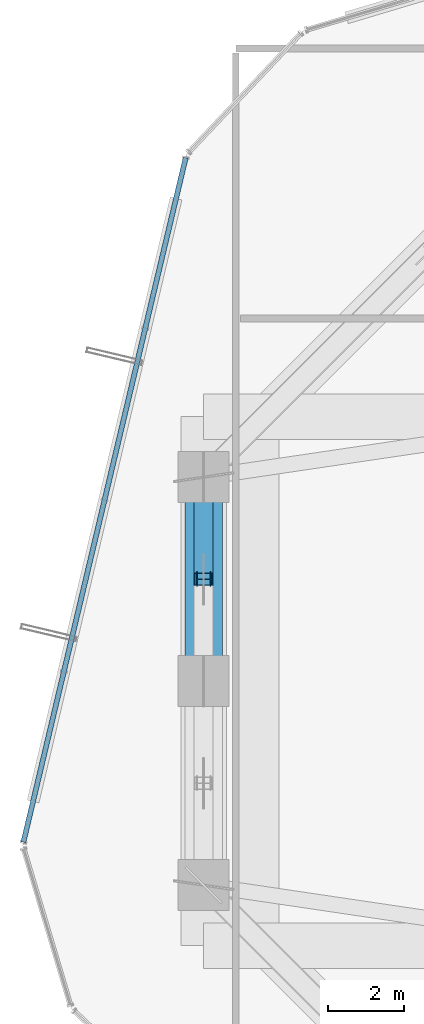
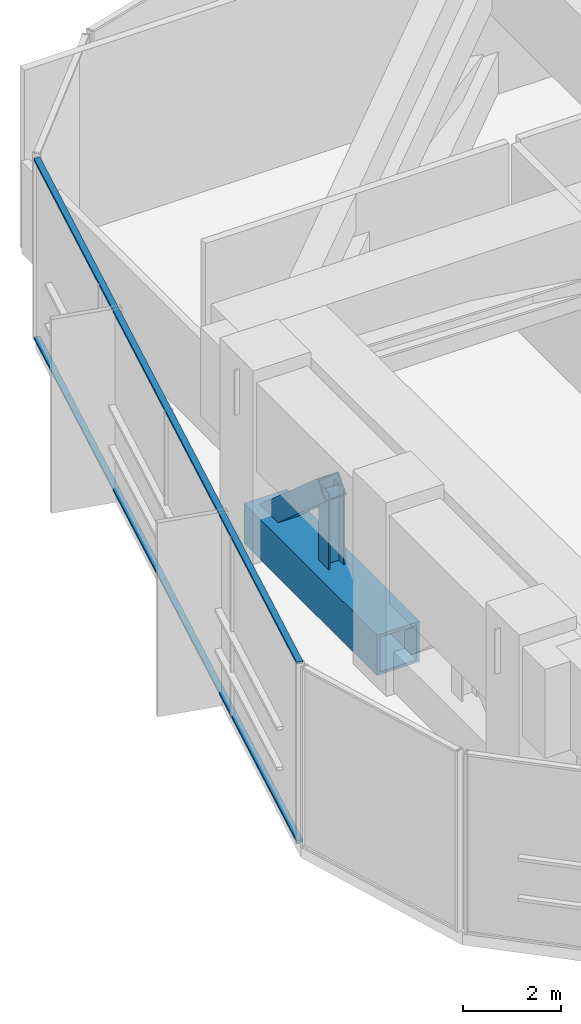
# One storey, part 11 of 41: 5 members, 1 element without a shape of its own.
"""IFC4 building model written with IfcOpenShell, lengths in metres."""

from ifc_helpers import new_model, si_unit, direction, frame, origin, origin_2d, place, context, subcontext, project, spatial, hollow_rectangle, i_section, extrude, source, transform, mapped, material, layer, layer_set, material_profile, profile_set, type_object, element, aggregate, save


model = new_model("IFC4")

# Units and contexts
model_context = context("Model", 3, precision=1e-05, world=origin(), true_north=direction((0.0, 1.0)))
body_context = subcontext(model_context, "Body", "Model", "MODEL_VIEW")
ifc_project = project(units=[si_unit("LENGTHUNIT", "METRE"), si_unit("AREAUNIT", "SQUARE_METRE"), si_unit("VOLUMEUNIT", "CUBIC_METRE"), si_unit("PLANEANGLEUNIT", "RADIAN"), si_unit("MASSUNIT", "GRAM", prefix="KILO")], contexts=[model_context])

# Site, building, storey
site_placement = place(None, origin())
site = spatial("IfcSite", under=ifc_project, at=site_placement, CompositionType="ELEMENT")
building_placement = place(site_placement, origin())
building = spatial("IfcBuilding", under=site, at=building_placement, Name="Veraguas Prism Commons", CompositionType="ELEMENT")
storey_placement = place(building_placement, frame((0.0, 0.0, 80.35009765625)))
storey = spatial("IfcBuildingStorey", under=building, at=storey_placement, Name="L22", CompositionType="ELEMENT", Elevation=80.35009765625)

# Members
ifc_material_1 = material(Name="Steel ASTM A913 Grade 65", Category="steel")
ifc_material_profile_1 = material_profile(ifc_material_1, hollow_rectangle(XDim=1.0, YDim=1.0, WallThickness=0.070068359375, at=origin_2d()), Name="BOX1000X1000X70")
ifc_profile_set_1 = profile_set([ifc_material_profile_1], Name="Steel ASTM A913 Grade 65")
member_type_1 = type_object("IfcMemberType", Name="Belt Truss Chord L22 Box 1000x1000x70", PredefinedType="CHORD", material=ifc_profile_set_1)
member_1_placement = place(storey_placement, frame((6.39990234375, 29.39990234375, 0.5498046875), z_axis=(0.0, -1.0, 0.0), x_axis=(1.0, 0.0, 0.0)))
element("IfcMember", 1, at=member_1_placement, inside=storey, type_object=member_type_1, Name="Perimeter Belt Truss Chord Bottom L22-07", PredefinedType="CHORD", context=body_context, shape_type="SweptSolid", body=[
    extrude(hollow_rectangle(XDim=1.0, YDim=1.0, WallThickness=0.070068359375, at=origin_2d()), origin(), (0.0, 0.0, 1.0), 5.39990234375),
])
ifc_material_2 = material(Name="Steel ASTM A992 Grade 50", Category="steel")
ifc_material_profile_2 = material_profile(ifc_material_2, i_section(OverallWidth=0.39794921875, OverallDepth=0.386962890625, WebThickness=0.01904296875, FlangeThickness=0.0302734375, at=origin_2d()), Name="W360X262")
ifc_profile_set_2 = profile_set([ifc_material_profile_2], Name="Steel ASTM A992 Grade 50")
member_type_2 = type_object("IfcMemberType", Name="Belt Truss Vertical Strut W360x262", PredefinedType="STRUT", material=ifc_profile_set_2)
member_2_placement = place(storey_placement, frame((6.39990234375, 26.699951171875, 0.5498046875), z_axis=(0.0, 0.0, 1.0), x_axis=(0.0, -1.0, 0.0)))
element("IfcMember", 2, at=member_2_placement, inside=storey, type_object=member_type_2, Name="Perimeter Belt Truss Strut L22-07", PredefinedType="STRUT", context=body_context, shape_type="SweptSolid", body=[
    extrude(i_section(OverallWidth=0.39794921875, OverallDepth=0.386962890625, WebThickness=0.01904296875, FlangeThickness=0.0302734375, at=origin_2d()), origin(), (0.0, 0.0, 1.0), 2.380126953125),
])
ifc_material_3 = material(Name="Steel ASTM A572 Grade 50", Category="steel")
ifc_material_profile_3 = material_profile(ifc_material_3, hollow_rectangle(XDim=0.5, YDim=0.5, WallThickness=0.02490234375, at=origin_2d()), Name="BOX500X500X25")
ifc_profile_set_3 = profile_set([ifc_material_profile_3], Name="Steel ASTM A572 Grade 50")
member_type_3 = type_object("IfcMemberType", Name="Perimeter Belt Diagonal BOX 500x500x25", PredefinedType="BRACE", material=ifc_profile_set_3)
member_3_placement = place(storey_placement, frame((6.39990234375, 29.39990234375, 0.5498046875), z_axis=(0.0, -0.750138660667, 0.66128056812), x_axis=(1.0, 0.0, 0.0)))
element("IfcMember", 3, at=member_3_placement, inside=storey, type_object=member_type_3, Name="Perimeter Belt Truss Brace L22-07A", PredefinedType="BRACE", context=body_context, shape_type="SweptSolid", body=[
    extrude(hollow_rectangle(XDim=0.5, YDim=0.5, WallThickness=0.02490234375, at=origin_2d()), origin(), (0.0, 0.0, 1.0), 3.599365234375),
])

# Curtain wall, members
ifc_material_4 = material(Name="Anodised aluminium EN AW-6063 T6", Category="aluminium")
ifc_layer = layer(ifc_material_4, 0.169921875, Name="Unitised Flush Curtain Wall Zone 1", Category="aluminium")
ifc_layer_set = layer_set([ifc_layer], Name="Anodised aluminium EN AW-6063 T6")
curtain_wall_type = type_object("IfcCurtainWallType", Name="Unitised Flush Curtain Wall Zone 1", PredefinedType="NOTDEFINED", material=ifc_layer_set)
curtain_wall_placement = place(storey_placement, origin())
curtain_wall = element("IfcCurtainWall", 4, at=curtain_wall_placement, inside=storey, type_object=curtain_wall_type, Name="Tower Facade Curtain Wall L22-F3", PredefinedType="NOTDEFINED")
ifc_material_profile_4 = material_profile(ifc_material_4, hollow_rectangle(XDim=0.054931640625, YDim=0.135009765625, WallThickness=0.0029296875, at=origin_2d()), Name="AL55X135X3")
ifc_profile_set_4 = profile_set([ifc_material_profile_4], Name="Anodised aluminium EN AW-6063 T6")
member_type_4 = type_object("IfcMemberType", Name="Curtain Wall Transom Standard AL 55x135x3", PredefinedType="USERDEFINED", material=ifc_profile_set_4)
shared_shape = source(origin(), body_context, "Body", "SweptSolid", [
    extrude(hollow_rectangle(XDim=0.054931640625, YDim=0.135009765625, WallThickness=0.0029296875, at=origin_2d()), origin(), (0.0, 0.0, 1.0), 18.62353515625),
])
member_4_placement = place(storey_placement, frame((5.9248046875, 37.856201171875, 0.02734375), z_axis=(-0.230734885739, -0.97301665582, 0.0), x_axis=(0.0, 0.0, 1.0)))
member_4 = element("IfcMember", 5, at=member_4_placement, type_object=member_type_4, Name="CW-Z1 Transom 1", ObjectType="TRANSOM", PredefinedType="USERDEFINED", context=body_context, shape_type="MappedRepresentation", body=[
    mapped(shared_shape, transform((0.0, 0.0, 0.0), scale=1.0)),
])
member_5_placement = place(storey_placement, frame((5.9248046875, 37.856201171875, 4.452392578125), z_axis=(-0.230734885739, -0.97301665582, 0.0), x_axis=(0.0, 0.0, 1.0)))
member_5 = element("IfcMember", 6, at=member_5_placement, type_object=member_type_4, Name="CW-Z1 Transom 2", ObjectType="TRANSOM", PredefinedType="USERDEFINED", context=body_context, shape_type="MappedRepresentation", body=[
    mapped(shared_shape, transform((0.0, 0.0, 0.0), scale=1.0)),
])
aggregate(curtain_wall, [member_4, member_5])

save(model, "model.ifc")
